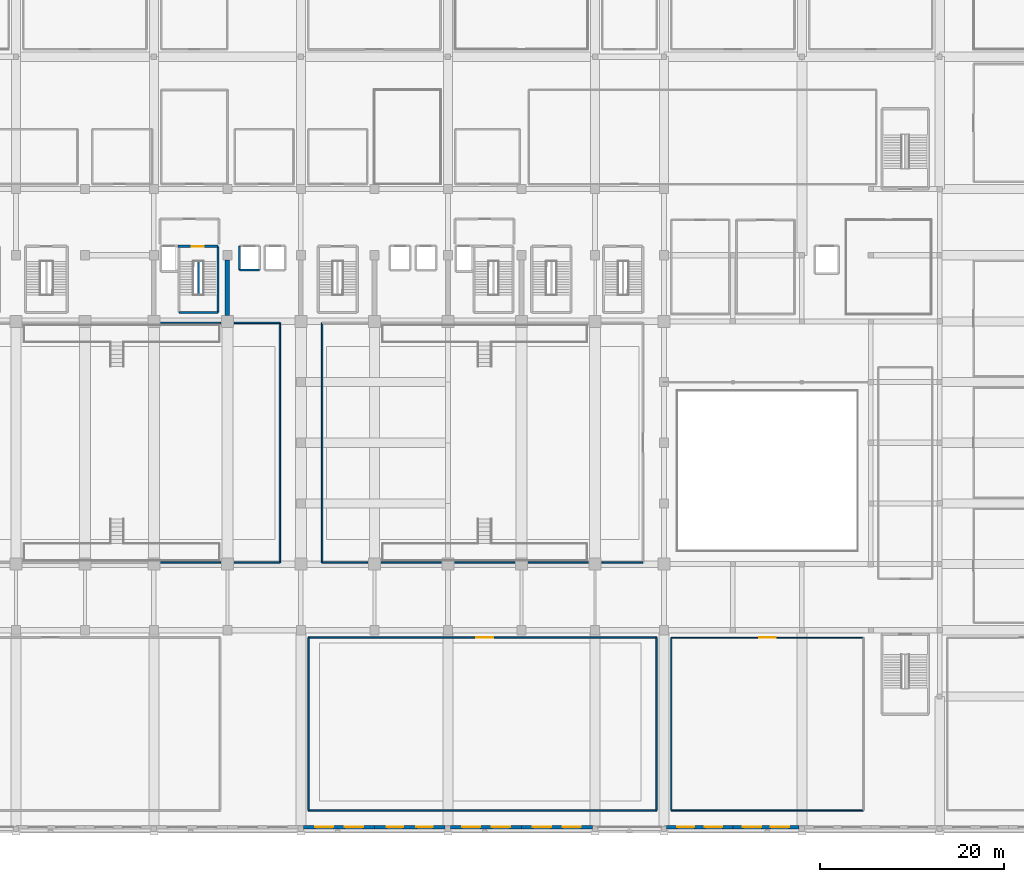
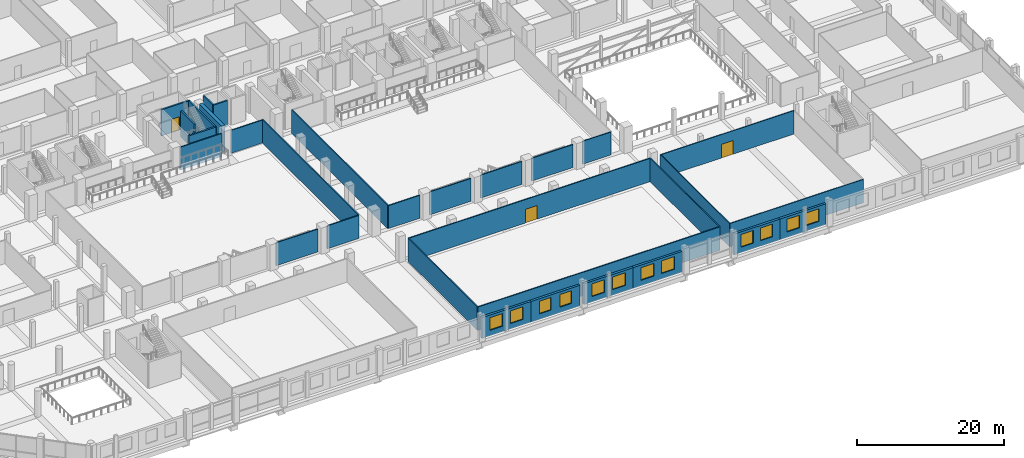
# One storey, part 44 of 68: 31 walls, 12 windows, 3 doors, 15 openings.
"""IFC4 building model written with IfcOpenShell, lengths in metres."""

from ifc_helpers import new_model, si_unit, direction, frame, frame_2d, origin, place, context, subcontext, project, spatial, rectangle, extrude, material, layer, layer_set, type_object, element, fill, save


model = new_model("IFC4")

# Units and contexts
model_context = context("Model", 3, precision=1e-05, world=origin(), true_north=direction((0.0, 1.0)))
body_context = subcontext(model_context, "Body", "Model", "MODEL_VIEW")
ifc_project = project(units=[si_unit("LENGTHUNIT", "METRE"), si_unit("AREAUNIT", "SQUARE_METRE"), si_unit("VOLUMEUNIT", "CUBIC_METRE"), si_unit("PLANEANGLEUNIT", "RADIAN"), si_unit("MASSUNIT", "GRAM", prefix="KILO")], contexts=[model_context])

# Site, building, storey
site_placement = place(None, origin())
site = spatial("IfcSite", under=ifc_project, at=site_placement, CompositionType="ELEMENT")
building_placement = place(site_placement, origin())
building = spatial("IfcBuilding", under=site, at=building_placement, Name="Akrevak Sports Hall", CompositionType="ELEMENT")
storey_placement = place(building_placement, frame((0.0, 0.0, 9.39990234375)))
storey = spatial("IfcBuildingStorey", under=building, at=storey_placement, Name="L02", CompositionType="ELEMENT", Elevation=9.39990234375)

# Wall, openings, windows
ifc_material_1 = material(Name="Limestone Ashlar", Category="stone")
ifc_layer_1 = layer(ifc_material_1, 0.080078125, Name="Limestone Ashlar")
ifc_material_2 = material(Name="Mineral Wool Thermal Insulation", Category="insulation")
ifc_layer_2 = layer(ifc_material_2, 0.10009765625, Name="Mineral Wool Thermal Insulation")
ifc_material_3 = material(Name="Concrete C40/50", Category="concrete")
ifc_layer_3 = layer(ifc_material_3, 0.179931640625, Name="Concrete C40/50")
ifc_layer_set_1 = layer_set([ifc_layer_1, ifc_layer_2, ifc_layer_3], Name="Limestone Ashlar / Mineral Wool Thermal Insulation / Concrete C40/50")
wall_type_1 = type_object("IfcWallType", Name="ARC-WL-EXT-360", PredefinedType="SOLIDWALL", material=ifc_layer_set_1)
wall_1_placement = place(storey_placement, frame((76.300048828125, 0.179931640625, 0.0), z_axis=(0.0, 0.0, 1.0), x_axis=(1.0, 0.0, 0.0)))
wall_1 = element("IfcWall", 1, at=wall_1_placement, inside=storey, type_object=wall_type_1, Name="Exterior Limestone Wall L02-S09", PredefinedType="SOLIDWALL", context=body_context, shape_type="SweptSolid", body=[
    extrude(rectangle(XDim=7.699951171875, YDim=0.360107421875, at=frame_2d((3.85009765625, 0.0))), origin(), (0.0, 0.0, 1.0), 3.4501953125),
])
opening_1_placement = place(wall_1_placement, frame((1.23291015625, 0.0, 0.919921875)))
opening_1 = element("IfcOpeningElement", 2, at=opening_1_placement, cuts=wall_1, Name="Opening WN-36", PredefinedType="OPENING", context=body_context, shape_type="SweptSolid", body=[
    extrude(rectangle(XDim=2.0, YDim=2.10009765625, at=frame_2d((1.0, 1.050048828125))), frame((0.0, 0.19189453125, 0.0), z_axis=(0.0, -1.0, 0.0), x_axis=(1.0, 0.0, 0.0)), (0.0, 0.0, 1.0), 0.384033203125),
])
opening_2_placement = place(wall_1_placement, frame((4.467041015625, 0.0, 0.919921875)))
opening_2 = element("IfcOpeningElement", 3, at=opening_2_placement, cuts=wall_1, Name="Opening WN-36", PredefinedType="OPENING", context=body_context, shape_type="SweptSolid", body=[
    extrude(rectangle(XDim=2.0, YDim=2.10009765625, at=frame_2d((1.0, 1.050048828125))), frame((0.0, 0.19189453125, 0.0), z_axis=(0.0, -1.0, 0.0), x_axis=(1.0, 0.0, 0.0)), (0.0, 0.0, 1.0), 0.384033203125),
])
ifc_material_4 = material(Name="Thermally Broken Bronze Frame & Double Low-E Glass", Category="glass")
window_type_1 = type_object("IfcWindowType", Name="ARC-WIN-SZ-2000x2100", PartitioningType="SINGLE_PANEL", PredefinedType="WINDOW", material=ifc_material_4)
window_1_placement = place(opening_1_placement, origin())
window_1 = element("IfcWindow", 4, at=window_1_placement, inside=storey, type_object=window_type_1, Name="Beaux-Arts Facade Window WIN-L02-S09-1", OverallHeight=2.10009765625, OverallWidth=2.0, PartitioningType="SINGLE_PANEL", PredefinedType="WINDOW", context=body_context, shape_type="SweptSolid", body=[
    extrude(rectangle(XDim=2.0, YDim=2.10009765625, at=frame_2d((1.0, 1.050048828125))), frame((0.0, 0.030029296875, 0.0), z_axis=(0.0, -1.0, 0.0), x_axis=(1.0, 0.0, 0.0)), (0.0, 0.0, 1.0), 0.06005859375),
])
fill(opening_1, window_1)
window_2_placement = place(opening_2_placement, origin())
window_2 = element("IfcWindow", 5, at=window_2_placement, inside=storey, type_object=window_type_1, Name="Beaux-Arts Facade Window WIN-L02-S09-2", OverallHeight=2.10009765625, OverallWidth=2.0, PartitioningType="SINGLE_PANEL", PredefinedType="WINDOW", context=body_context, shape_type="SweptSolid", body=[
    extrude(rectangle(XDim=2.0, YDim=2.10009765625, at=frame_2d((1.0, 1.050048828125))), frame((0.0, 0.030029296875, 0.0), z_axis=(0.0, -1.0, 0.0), x_axis=(1.0, 0.0, 0.0)), (0.0, 0.0, 1.0), 0.06005859375),
])
fill(opening_2, window_2)

wall_2_placement = place(storey_placement, frame((84.0, 0.179931640625, 0.0), z_axis=(0.0, 0.0, 1.0), x_axis=(1.0, 0.0, 0.0)))
wall_2 = element("IfcWall", 6, at=wall_2_placement, inside=storey, type_object=wall_type_1, Name="Exterior Limestone Wall L02-S10", PredefinedType="SOLIDWALL", context=body_context, shape_type="SweptSolid", body=[
    extrude(rectangle(XDim=7.699951171875, YDim=0.360107421875, at=frame_2d((3.85009765625, 0.0))), origin(), (0.0, 0.0, 1.0), 3.4501953125),
])
opening_3_placement = place(wall_2_placement, frame((1.3330078125, 0.0, 0.919921875)))
opening_3 = element("IfcOpeningElement", 7, at=opening_3_placement, cuts=wall_2, Name="Opening WN-37", PredefinedType="OPENING", context=body_context, shape_type="SweptSolid", body=[
    extrude(rectangle(XDim=1.800048828125, YDim=2.10009765625, at=frame_2d((0.89990234375, 1.050048828125))), frame((0.0, 0.19189453125, 0.0), z_axis=(0.0, -1.0, 0.0), x_axis=(1.0, 0.0, 0.0)), (0.0, 0.0, 1.0), 0.384033203125),
])
opening_4_placement = place(wall_2_placement, frame((4.56689453125, 0.0, 0.919921875)))
opening_4 = element("IfcOpeningElement", 8, at=opening_4_placement, cuts=wall_2, Name="Opening WN-37", PredefinedType="OPENING", context=body_context, shape_type="SweptSolid", body=[
    extrude(rectangle(XDim=1.800048828125, YDim=2.10009765625, at=frame_2d((0.89990234375, 1.050048828125))), frame((0.0, 0.19189453125, 0.0), z_axis=(0.0, -1.0, 0.0), x_axis=(1.0, 0.0, 0.0)), (0.0, 0.0, 1.0), 0.384033203125),
])
window_type_2 = type_object("IfcWindowType", Name="ARC-WIN-SZ-1800x2100", PartitioningType="SINGLE_PANEL", PredefinedType="WINDOW", material=ifc_material_4)
window_3_placement = place(opening_3_placement, origin())
window_3 = element("IfcWindow", 9, at=window_3_placement, inside=storey, type_object=window_type_2, Name="Beaux-Arts Facade Window WIN-L02-S10-1", OverallHeight=2.10009765625, OverallWidth=1.800048828125, PartitioningType="SINGLE_PANEL", PredefinedType="WINDOW", context=body_context, shape_type="SweptSolid", body=[
    extrude(rectangle(XDim=1.800048828125, YDim=2.10009765625, at=frame_2d((0.89990234375, 1.050048828125))), frame((0.0, 0.030029296875, 0.0), z_axis=(0.0, -1.0, 0.0), x_axis=(1.0, 0.0, 0.0)), (0.0, 0.0, 1.0), 0.06005859375),
])
fill(opening_3, window_3)
window_4_placement = place(opening_4_placement, origin())
window_4 = element("IfcWindow", 10, at=window_4_placement, inside=storey, type_object=window_type_2, Name="Beaux-Arts Facade Window WIN-L02-S10-2", OverallHeight=2.10009765625, OverallWidth=1.800048828125, PartitioningType="SINGLE_PANEL", PredefinedType="WINDOW", context=body_context, shape_type="SweptSolid", body=[
    extrude(rectangle(XDim=1.800048828125, YDim=2.10009765625, at=frame_2d((0.89990234375, 1.050048828125))), frame((0.0, 0.030029296875, 0.0), z_axis=(0.0, -1.0, 0.0), x_axis=(1.0, 0.0, 0.0)), (0.0, 0.0, 1.0), 0.06005859375),
])
fill(opening_4, window_4)

wall_3_placement = place(storey_placement, frame((92.300048828125, 0.179931640625, 0.0), z_axis=(0.0, 0.0, 1.0), x_axis=(1.0, 0.0, 0.0)))
wall_3 = element("IfcWall", 11, at=wall_3_placement, inside=storey, type_object=wall_type_1, Name="Exterior Limestone Wall L02-S11", PredefinedType="SOLIDWALL", context=body_context, shape_type="SweptSolid", body=[
    extrude(rectangle(XDim=7.699951171875, YDim=0.360107421875, at=frame_2d((3.85009765625, 0.0))), origin(), (0.0, 0.0, 1.0), 3.4501953125),
])
opening_5_placement = place(wall_3_placement, frame((1.23291015625, 0.0, 0.919921875)))
opening_5 = element("IfcOpeningElement", 12, at=opening_5_placement, cuts=wall_3, Name="Opening WN-36", PredefinedType="OPENING", context=body_context, shape_type="SweptSolid", body=[
    extrude(rectangle(XDim=2.0, YDim=2.10009765625, at=frame_2d((1.0, 1.050048828125))), frame((0.0, 0.19189453125, 0.0), z_axis=(0.0, -1.0, 0.0), x_axis=(1.0, 0.0, 0.0)), (0.0, 0.0, 1.0), 0.384033203125),
])
opening_6_placement = place(wall_3_placement, frame((4.467041015625, 0.0, 0.919921875)))
opening_6 = element("IfcOpeningElement", 13, at=opening_6_placement, cuts=wall_3, Name="Opening WN-36", PredefinedType="OPENING", context=body_context, shape_type="SweptSolid", body=[
    extrude(rectangle(XDim=2.0, YDim=2.10009765625, at=frame_2d((1.0, 1.050048828125))), frame((0.0, 0.19189453125, 0.0), z_axis=(0.0, -1.0, 0.0), x_axis=(1.0, 0.0, 0.0)), (0.0, 0.0, 1.0), 0.384033203125),
])
window_5_placement = place(opening_5_placement, origin())
window_5 = element("IfcWindow", 14, at=window_5_placement, inside=storey, type_object=window_type_1, Name="Beaux-Arts Facade Window WIN-L02-S11-1", OverallHeight=2.10009765625, OverallWidth=2.0, PartitioningType="SINGLE_PANEL", PredefinedType="WINDOW", context=body_context, shape_type="SweptSolid", body=[
    extrude(rectangle(XDim=2.0, YDim=2.10009765625, at=frame_2d((1.0, 1.050048828125))), frame((0.0, 0.030029296875, 0.0), z_axis=(0.0, -1.0, 0.0), x_axis=(1.0, 0.0, 0.0)), (0.0, 0.0, 1.0), 0.06005859375),
])
fill(opening_5, window_5)
window_6_placement = place(opening_6_placement, origin())
window_6 = element("IfcWindow", 15, at=window_6_placement, inside=storey, type_object=window_type_1, Name="Beaux-Arts Facade Window WIN-L02-S11-2", OverallHeight=2.10009765625, OverallWidth=2.0, PartitioningType="SINGLE_PANEL", PredefinedType="WINDOW", context=body_context, shape_type="SweptSolid", body=[
    extrude(rectangle(XDim=2.0, YDim=2.10009765625, at=frame_2d((1.0, 1.050048828125))), frame((0.0, 0.030029296875, 0.0), z_axis=(0.0, -1.0, 0.0), x_axis=(1.0, 0.0, 0.0)), (0.0, 0.0, 1.0), 0.06005859375),
])
fill(opening_6, window_6)

wall_4_placement = place(storey_placement, frame((100.0, 0.179931640625, 0.0), z_axis=(0.0, 0.0, 1.0), x_axis=(1.0, 0.0, 0.0)))
wall_4 = element("IfcWall", 16, at=wall_4_placement, inside=storey, type_object=wall_type_1, Name="Exterior Limestone Wall L02-S12", PredefinedType="SOLIDWALL", context=body_context, shape_type="SweptSolid", body=[
    extrude(rectangle(XDim=7.699951171875, YDim=0.360107421875, at=frame_2d((3.85009765625, 0.0))), origin(), (0.0, 0.0, 1.0), 3.4501953125),
])
opening_7_placement = place(wall_4_placement, frame((1.23291015625, 0.0, 0.919921875)))
opening_7 = element("IfcOpeningElement", 17, at=opening_7_placement, cuts=wall_4, Name="Opening WN-36", PredefinedType="OPENING", context=body_context, shape_type="SweptSolid", body=[
    extrude(rectangle(XDim=2.0, YDim=2.10009765625, at=frame_2d((1.0, 1.050048828125))), frame((0.0, 0.19189453125, 0.0), z_axis=(0.0, -1.0, 0.0), x_axis=(1.0, 0.0, 0.0)), (0.0, 0.0, 1.0), 0.384033203125),
])
opening_8_placement = place(wall_4_placement, frame((4.467041015625, 0.0, 0.919921875)))
opening_8 = element("IfcOpeningElement", 18, at=opening_8_placement, cuts=wall_4, Name="Opening WN-36", PredefinedType="OPENING", context=body_context, shape_type="SweptSolid", body=[
    extrude(rectangle(XDim=2.0, YDim=2.10009765625, at=frame_2d((1.0, 1.050048828125))), frame((0.0, 0.19189453125, 0.0), z_axis=(0.0, -1.0, 0.0), x_axis=(1.0, 0.0, 0.0)), (0.0, 0.0, 1.0), 0.384033203125),
])
window_7_placement = place(opening_7_placement, origin())
window_7 = element("IfcWindow", 19, at=window_7_placement, inside=storey, type_object=window_type_1, Name="Beaux-Arts Facade Window WIN-L02-S12-1", OverallHeight=2.10009765625, OverallWidth=2.0, PartitioningType="SINGLE_PANEL", PredefinedType="WINDOW", context=body_context, shape_type="SweptSolid", body=[
    extrude(rectangle(XDim=2.0, YDim=2.10009765625, at=frame_2d((1.0, 1.050048828125))), frame((0.0, 0.030029296875, 0.0), z_axis=(0.0, -1.0, 0.0), x_axis=(1.0, 0.0, 0.0)), (0.0, 0.0, 1.0), 0.06005859375),
])
fill(opening_7, window_7)
window_8_placement = place(opening_8_placement, origin())
window_8 = element("IfcWindow", 20, at=window_8_placement, inside=storey, type_object=window_type_1, Name="Beaux-Arts Facade Window WIN-L02-S12-2", OverallHeight=2.10009765625, OverallWidth=2.0, PartitioningType="SINGLE_PANEL", PredefinedType="WINDOW", context=body_context, shape_type="SweptSolid", body=[
    extrude(rectangle(XDim=2.0, YDim=2.10009765625, at=frame_2d((1.0, 1.050048828125))), frame((0.0, 0.030029296875, 0.0), z_axis=(0.0, -1.0, 0.0), x_axis=(1.0, 0.0, 0.0)), (0.0, 0.0, 1.0), 0.06005859375),
])
fill(opening_8, window_8)

wall_5_placement = place(storey_placement, frame((115.77490234375, 0.179931640625, 0.0), z_axis=(0.0, 0.0, 1.0), x_axis=(1.0, 0.0, 0.0)))
wall_5 = element("IfcWall", 21, at=wall_5_placement, inside=storey, type_object=wall_type_1, Name="Exterior Limestone Wall L02-S14", PredefinedType="SOLIDWALL", context=body_context, shape_type="SweptSolid", body=[
    extrude(rectangle(XDim=7.22509765625, YDim=0.360107421875, at=frame_2d((3.612548828125, 0.0))), origin(), (0.0, 0.0, 1.0), 3.4501953125),
])
opening_9_placement = place(wall_5_placement, frame((1.145263671875, 0.0, 0.919921875)))
opening_9 = element("IfcOpeningElement", 22, at=opening_9_placement, cuts=wall_5, Name="Opening WN-38", PredefinedType="OPENING", context=body_context, shape_type="SweptSolid", body=[
    extrude(rectangle(XDim=1.89990234375, YDim=2.10009765625, at=frame_2d((0.949951171875, 1.050048828125))), frame((0.0, 0.19189453125, 0.0), z_axis=(0.0, -1.0, 0.0), x_axis=(1.0, 0.0, 0.0)), (0.0, 0.0, 1.0), 0.384033203125),
])
opening_10_placement = place(wall_5_placement, frame((4.1796875, 0.0, 0.919921875)))
opening_10 = element("IfcOpeningElement", 23, at=opening_10_placement, cuts=wall_5, Name="Opening WN-38", PredefinedType="OPENING", context=body_context, shape_type="SweptSolid", body=[
    extrude(rectangle(XDim=1.89990234375, YDim=2.10009765625, at=frame_2d((0.949951171875, 1.050048828125))), frame((0.0, 0.19189453125, 0.0), z_axis=(0.0, -1.0, 0.0), x_axis=(1.0, 0.0, 0.0)), (0.0, 0.0, 1.0), 0.384033203125),
])
window_type_3 = type_object("IfcWindowType", Name="ARC-WIN-SZ-1900x2100", PartitioningType="SINGLE_PANEL", PredefinedType="WINDOW", material=ifc_material_4)
window_9_placement = place(opening_9_placement, origin())
window_9 = element("IfcWindow", 24, at=window_9_placement, inside=storey, type_object=window_type_3, Name="Beaux-Arts Facade Window WIN-L02-S14-1", OverallHeight=2.10009765625, OverallWidth=1.89990234375, PartitioningType="SINGLE_PANEL", PredefinedType="WINDOW", context=body_context, shape_type="SweptSolid", body=[
    extrude(rectangle(XDim=1.89990234375, YDim=2.10009765625, at=frame_2d((0.949951171875, 1.050048828125))), frame((0.0, 0.030029296875, 0.0), z_axis=(0.0, -1.0, 0.0), x_axis=(1.0, 0.0, 0.0)), (0.0, 0.0, 1.0), 0.06005859375),
])
fill(opening_9, window_9)
window_10_placement = place(opening_10_placement, origin())
window_10 = element("IfcWindow", 25, at=window_10_placement, inside=storey, type_object=window_type_3, Name="Beaux-Arts Facade Window WIN-L02-S14-2", OverallHeight=2.10009765625, OverallWidth=1.89990234375, PartitioningType="SINGLE_PANEL", PredefinedType="WINDOW", context=body_context, shape_type="SweptSolid", body=[
    extrude(rectangle(XDim=1.89990234375, YDim=2.10009765625, at=frame_2d((0.949951171875, 1.050048828125))), frame((0.0, 0.030029296875, 0.0), z_axis=(0.0, -1.0, 0.0), x_axis=(1.0, 0.0, 0.0)), (0.0, 0.0, 1.0), 0.06005859375),
])
fill(opening_10, window_10)

wall_6_placement = place(storey_placement, frame((123.0, 0.179931640625, 0.0), z_axis=(0.0, 0.0, 1.0), x_axis=(1.0, 0.0, 0.0)))
wall_6 = element("IfcWall", 26, at=wall_6_placement, inside=storey, type_object=wall_type_1, Name="Exterior Limestone Wall L02-S15", PredefinedType="SOLIDWALL", context=body_context, shape_type="SweptSolid", body=[
    extrude(rectangle(XDim=7.199951171875, YDim=0.360107421875, at=frame_2d((3.60009765625, 0.0))), origin(), (0.0, 0.0, 1.0), 3.4501953125),
])
opening_11_placement = place(wall_6_placement, frame((1.087890625, 0.0, 0.919921875)))
opening_11 = element("IfcOpeningElement", 27, at=opening_11_placement, cuts=wall_6, Name="Opening WN-36", PredefinedType="OPENING", context=body_context, shape_type="SweptSolid", body=[
    extrude(rectangle(XDim=2.0, YDim=2.10009765625, at=frame_2d((1.0, 1.050048828125))), frame((0.0, 0.19189453125, 0.0), z_axis=(0.0, -1.0, 0.0), x_axis=(1.0, 0.0, 0.0)), (0.0, 0.0, 1.0), 0.384033203125),
])
opening_12_placement = place(wall_6_placement, frame((4.112060546875, 0.0, 0.919921875)))
opening_12 = element("IfcOpeningElement", 28, at=opening_12_placement, cuts=wall_6, Name="Opening WN-36", PredefinedType="OPENING", context=body_context, shape_type="SweptSolid", body=[
    extrude(rectangle(XDim=2.0, YDim=2.10009765625, at=frame_2d((1.0, 1.050048828125))), frame((0.0, 0.19189453125, 0.0), z_axis=(0.0, -1.0, 0.0), x_axis=(1.0, 0.0, 0.0)), (0.0, 0.0, 1.0), 0.384033203125),
])
window_11_placement = place(opening_11_placement, origin())
window_11 = element("IfcWindow", 29, at=window_11_placement, inside=storey, type_object=window_type_1, Name="Beaux-Arts Facade Window WIN-L02-S15-1", OverallHeight=2.10009765625, OverallWidth=2.0, PartitioningType="SINGLE_PANEL", PredefinedType="WINDOW", context=body_context, shape_type="SweptSolid", body=[
    extrude(rectangle(XDim=2.0, YDim=2.10009765625, at=frame_2d((1.0, 1.050048828125))), frame((0.0, 0.030029296875, 0.0), z_axis=(0.0, -1.0, 0.0), x_axis=(1.0, 0.0, 0.0)), (0.0, 0.0, 1.0), 0.06005859375),
])
fill(opening_11, window_11)
window_12_placement = place(opening_12_placement, origin())
window_12 = element("IfcWindow", 30, at=window_12_placement, inside=storey, type_object=window_type_1, Name="Beaux-Arts Facade Window WIN-L02-S15-2", OverallHeight=2.10009765625, OverallWidth=2.0, PartitioningType="SINGLE_PANEL", PredefinedType="WINDOW", context=body_context, shape_type="SweptSolid", body=[
    extrude(rectangle(XDim=2.0, YDim=2.10009765625, at=frame_2d((1.0, 1.050048828125))), frame((0.0, 0.030029296875, 0.0), z_axis=(0.0, -1.0, 0.0), x_axis=(1.0, 0.0, 0.0)), (0.0, 0.0, 1.0), 0.06005859375),
])
fill(opening_12, window_12)

# Wall
ifc_material_5 = material(Name="Acoustic Metal Stud Partition", Category="gypsum")
ifc_layer_4 = layer(ifc_material_5, 0.1298828125, Name="Acoustic Metal Stud Partition")
ifc_layer_set_2 = layer_set([ifc_layer_4], Name="Acoustic Metal Stud Partition")
wall_type_2 = type_object("IfcWallType", Name="ARC-WL-PRT-130", PredefinedType="PARTITIONING", material=ifc_layer_set_2)
wall_7_placement = place(storey_placement, frame((116.300048828125, 2.0, 0.0), z_axis=(0.0, 0.0, 1.0), x_axis=(1.0, 0.0, 0.0)))
element("IfcWall", 31, at=wall_7_placement, inside=storey, type_object=wall_type_2, Name="Interior Partition South-East Rhythmic Apparatus Storage L02 (S)", PredefinedType="PARTITIONING", context=body_context, shape_type="SweptSolid", body=[
    extrude(rectangle(XDim=20.89990234375, YDim=0.1298828125, at=frame_2d((10.449951171875, 0.0))), origin(), (0.0, 0.0, 1.0), 3.880126953125),
])

# Wall, opening, door
wall_8_placement = place(storey_placement, frame((116.300048828125, 20.800048828125, 0.0), z_axis=(0.0, 0.0, 1.0), x_axis=(1.0, 0.0, 0.0)))
wall_8 = element("IfcWall", 32, at=wall_8_placement, inside=storey, type_object=wall_type_2, Name="Interior Partition South-East Rhythmic Apparatus Storage L02 (N)", PredefinedType="PARTITIONING", context=body_context, shape_type="SweptSolid", body=[
    extrude(rectangle(XDim=20.89990234375, YDim=0.1298828125, at=frame_2d((10.449951171875, 0.0))), origin(), (0.0, 0.0, 1.0), 3.880126953125),
])
opening_13_placement = place(wall_8_placement, frame((9.550048828125, 0.0, 0.0)))
opening_13 = element("IfcOpeningElement", 33, at=opening_13_placement, cuts=wall_8, Name="Opening ID-02", PredefinedType="OPENING", context=body_context, shape_type="SweptSolid", body=[
    extrude(rectangle(XDim=1.800048828125, YDim=2.25, at=frame_2d((0.89990234375, 1.125))), frame((0.0, 0.076904296875, 0.0), z_axis=(0.0, -1.0, 0.0), x_axis=(1.0, 0.0, 0.0)), (0.0, 0.0, 1.0), 0.15380859375),
])
ifc_material_6 = material(Name="Hardwood Oak & Safety Glass", Category="wood")
door_type_1 = type_object("IfcDoorType", Name="ARC-DR-HALL-180x225", OperationType="DOUBLE_DOOR_SINGLE_SWING", PredefinedType="DOOR", material=ifc_material_6)
door_1_placement = place(opening_13_placement, origin())
door_1 = element("IfcDoor", 34, at=door_1_placement, inside=storey, type_object=door_type_1, Name="Door to South-East Rhythmic Apparatus Storage L02", OperationType="DOUBLE_DOOR_SINGLE_SWING", OverallHeight=2.25, OverallWidth=1.800048828125, PredefinedType="DOOR", context=body_context, shape_type="SweptSolid", body=[
    extrude(rectangle(XDim=1.800048828125, YDim=2.25, at=frame_2d((0.89990234375, 1.125))), frame((0.0, 0.02490234375, 0.0), z_axis=(0.0, -1.0, 0.0), x_axis=(1.0, 0.0, 0.0)), (0.0, 0.0, 1.0), 0.050048828125),
])
fill(opening_13, door_1)

# Walls
wall_9_placement = place(storey_placement, frame((116.300048828125, 2.0, 0.0), z_axis=(0.0, 0.0, 1.0), x_axis=(0.0, 1.0, 0.0)))
element("IfcWall", 35, at=wall_9_placement, inside=storey, type_object=wall_type_2, Name="Interior Partition South-East Rhythmic Apparatus Storage L02 (W)", PredefinedType="PARTITIONING", context=body_context, shape_type="SweptSolid", body=[
    extrude(rectangle(XDim=18.800048828125, YDim=0.1298828125, at=frame_2d((9.39990234375, 0.0))), origin(), (0.0, 0.0, 1.0), 3.880126953125),
])
ifc_material_7 = material(Name="Double Stud Fireboard Partition", Category="gypsum")
ifc_layer_5 = layer(ifc_material_7, 0.1650390625, Name="Double Stud Fireboard Partition")
ifc_layer_set_3 = layer_set([ifc_layer_5], Name="Double Stud Fireboard Partition")
wall_type_3 = type_object("IfcWallType", Name="ARC-WL-PRT-165", PredefinedType="PARTITIONING", material=ifc_layer_set_3)
wall_10_placement = place(storey_placement, frame((60.72998046875, 28.949951171875, 0.0), z_axis=(0.0, 0.0, 1.0), x_axis=(1.0, 0.0, 0.0)))
element("IfcWall", 36, at=wall_10_placement, inside=storey, type_object=wall_type_3, Name="Interior Partition Sports Hall 2 - Basketball Court (S) Segment 4", PredefinedType="PARTITIONING", context=body_context, shape_type="SweptSolid", body=[
    extrude(rectangle(XDim=6.5400390625, YDim=0.1650390625, at=frame_2d((3.27001953125, 0.0))), origin(), (0.0, 0.0, 1.0), 3.800048828125),
])
wall_11_placement = place(storey_placement, frame((68.72998046875, 28.949951171875, 0.0), z_axis=(0.0, 0.0, 1.0), x_axis=(1.0, 0.0, 0.0)))
element("IfcWall", 37, at=wall_11_placement, inside=storey, type_object=wall_type_3, Name="Interior Partition Sports Hall 2 - Basketball Court (S) Segment 5", PredefinedType="PARTITIONING", context=body_context, shape_type="SweptSolid", body=[
    extrude(rectangle(XDim=4.969970703125, YDim=0.1650390625, at=frame_2d((2.48486328125, 0.0))), origin(), (0.0, 0.0, 1.0), 3.800048828125),
])
wall_12_placement = place(storey_placement, frame((60.72998046875, 55.050048828125, 0.0), z_axis=(0.0, 0.0, 1.0), x_axis=(1.0, 0.0, 0.0)))
element("IfcWall", 38, at=wall_12_placement, inside=storey, type_object=wall_type_3, Name="Interior Partition Sports Hall 2 - Basketball Court (N) Segment 4", PredefinedType="PARTITIONING", context=body_context, shape_type="SweptSolid", body=[
    extrude(rectangle(XDim=6.5400390625, YDim=0.1650390625, at=frame_2d((3.27001953125, 0.0))), origin(), (0.0, 0.0, 1.0), 3.800048828125),
])
wall_13_placement = place(storey_placement, frame((68.72998046875, 55.050048828125, 0.0), z_axis=(0.0, 0.0, 1.0), x_axis=(1.0, 0.0, 0.0)))
element("IfcWall", 39, at=wall_13_placement, inside=storey, type_object=wall_type_3, Name="Interior Partition Sports Hall 2 - Basketball Court (N) Segment 5", PredefinedType="PARTITIONING", context=body_context, shape_type="SweptSolid", body=[
    extrude(rectangle(XDim=4.969970703125, YDim=0.1650390625, at=frame_2d((2.48486328125, 0.0))), origin(), (0.0, 0.0, 1.0), 3.800048828125),
])
wall_14_placement = place(storey_placement, frame((73.699951171875, 28.949951171875, 0.0), z_axis=(0.0, 0.0, 1.0), x_axis=(0.0, 1.0, 0.0)))
element("IfcWall", 40, at=wall_14_placement, inside=storey, type_object=wall_type_3, Name="Interior Partition Sports Hall 2 - Basketball Court (E)", PredefinedType="PARTITIONING", context=body_context, shape_type="SweptSolid", body=[
    extrude(rectangle(XDim=26.10009765625, YDim=0.1650390625, at=frame_2d((13.050048828125, 0.0))), origin(), (0.0, 0.0, 1.0), 3.880126953125),
])
wall_15_placement = place(storey_placement, frame((78.300048828125, 28.949951171875, 0.0), z_axis=(0.0, 0.0, 1.0), x_axis=(1.0, 0.0, 0.0)))
element("IfcWall", 41, at=wall_15_placement, inside=storey, type_object=wall_type_3, Name="Interior Partition Sports Hall 3 - Volleyball Court (S) Segment 1", PredefinedType="PARTITIONING", context=body_context, shape_type="SweptSolid", body=[
    extrude(rectangle(XDim=4.969970703125, YDim=0.1650390625, at=frame_2d((2.48486328125, 0.0))), origin(), (0.0, 0.0, 1.0), 3.800048828125),
])
for number, where, z_axis, x_axis, name in (
    (42, (84.72998046875, 28.949951171875, 0.0), (0.0, 0.0, 1.0), (1.0, 0.0, 0.0), "Interior Partition Sports Hall 3 - Volleyball Court (S) Segment 2"),
    (43, (92.72998046875, 28.949951171875, 0.0), (0.0, 0.0, 1.0), (1.0, 0.0, 0.0), "Interior Partition Sports Hall 3 - Volleyball Court (S) Segment 3"),
    (44, (100.72998046875, 28.949951171875, 0.0), (0.0, 0.0, 1.0), (1.0, 0.0, 0.0), "Interior Partition Sports Hall 3 - Volleyball Court (S) Segment 4"),
):
    element("IfcWall", number, at=place(storey_placement, frame(where, z_axis=z_axis, x_axis=x_axis)), inside=storey, type_object=wall_type_3, Name=name, PredefinedType="PARTITIONING", context=body_context, shape_type="SweptSolid", body=[
        extrude(rectangle(XDim=6.5400390625, YDim=0.1650390625, at=frame_2d((3.27001953125, 0.0))), origin(), (0.0, 0.0, 1.0), 3.800048828125),
    ])
wall_16_placement = place(storey_placement, frame((108.72998046875, 28.949951171875, 0.0), z_axis=(0.0, 0.0, 1.0), x_axis=(1.0, 0.0, 0.0)))
element("IfcWall", 45, at=wall_16_placement, inside=storey, type_object=wall_type_3, Name="Interior Partition Sports Hall 3 - Volleyball Court (S) Segment 5", PredefinedType="PARTITIONING", context=body_context, shape_type="SweptSolid", body=[
    extrude(rectangle(XDim=4.469970703125, YDim=0.1650390625, at=frame_2d((2.23486328125, 0.0))), origin(), (0.0, 0.0, 1.0), 3.800048828125),
])
wall_17_placement = place(storey_placement, frame((78.300048828125, 28.949951171875, 0.0), z_axis=(0.0, 0.0, 1.0), x_axis=(0.0, 1.0, 0.0)))
element("IfcWall", 46, at=wall_17_placement, inside=storey, type_object=wall_type_3, Name="Interior Partition Sports Hall 3 - Volleyball Court (W)", PredefinedType="PARTITIONING", context=body_context, shape_type="SweptSolid", body=[
    extrude(rectangle(XDim=26.10009765625, YDim=0.1650390625, at=frame_2d((13.050048828125, 0.0))), origin(), (0.0, 0.0, 1.0), 3.880126953125),
])
wall_18_placement = place(storey_placement, frame((76.800048828125, 2.0, 0.0), z_axis=(0.0, 0.0, 1.0), x_axis=(1.0, 0.0, 0.0)))
element("IfcWall", 47, at=wall_18_placement, inside=storey, type_object=wall_type_3, Name="Interior Partition Dance Studio 2 - Rhythmic Gymnastics (S)", PredefinedType="PARTITIONING", context=body_context, shape_type="SweptSolid", body=[
    extrude(rectangle(XDim=37.89990234375, YDim=0.1650390625, at=frame_2d((18.949951171875, 0.0))), origin(), (0.0, 0.0, 1.0), 3.880126953125),
])

# Wall, opening, door
wall_19_placement = place(storey_placement, frame((76.800048828125, 20.800048828125, 0.0), z_axis=(0.0, 0.0, 1.0), x_axis=(1.0, 0.0, 0.0)))
wall_19 = element("IfcWall", 48, at=wall_19_placement, inside=storey, type_object=wall_type_3, Name="Interior Partition Dance Studio 2 - Rhythmic Gymnastics (N)", PredefinedType="PARTITIONING", context=body_context, shape_type="SweptSolid", body=[
    extrude(rectangle(XDim=37.89990234375, YDim=0.1650390625, at=frame_2d((18.949951171875, 0.0))), origin(), (0.0, 0.0, 1.0), 3.880126953125),
])
opening_14_placement = place(wall_19_placement, frame((18.300048828125, 0.0, 0.0)))
opening_14 = element("IfcOpeningElement", 49, at=opening_14_placement, cuts=wall_19, Name="Opening ID-02", PredefinedType="OPENING", context=body_context, shape_type="SweptSolid", body=[
    extrude(rectangle(XDim=1.800048828125, YDim=2.25, at=frame_2d((0.89990234375, 1.125))), frame((0.0, 0.094482421875, 0.0), z_axis=(0.0, -1.0, 0.0), x_axis=(1.0, 0.0, 0.0)), (0.0, 0.0, 1.0), 0.18896484375),
])
door_2_placement = place(opening_14_placement, origin())
door_2 = element("IfcDoor", 50, at=door_2_placement, inside=storey, type_object=door_type_1, Name="Door to Dance Studio 2 - Rhythmic Gymnastics", OperationType="DOUBLE_DOOR_SINGLE_SWING", OverallHeight=2.25, OverallWidth=1.800048828125, PredefinedType="DOOR", context=body_context, shape_type="SweptSolid", body=[
    extrude(rectangle(XDim=1.800048828125, YDim=2.25, at=frame_2d((0.89990234375, 1.125))), frame((0.0, 0.02490234375, 0.0), z_axis=(0.0, -1.0, 0.0), x_axis=(1.0, 0.0, 0.0)), (0.0, 0.0, 1.0), 0.050048828125),
])
fill(opening_14, door_2)

# Walls
for number, where, z_axis, x_axis, name in (
    (51, (76.800048828125, 2.0, 0.0), (0.0, 0.0, 1.0), (0.0, 1.0, 0.0), "Interior Partition Dance Studio 2 - Rhythmic Gymnastics (W)"),
    (52, (114.699951171875, 2.0, 0.0), (0.0, 0.0, 1.0), (0.0, 1.0, 0.0), "Interior Partition Dance Studio 2 - Rhythmic Gymnastics (E)"),
):
    element("IfcWall", number, at=place(storey_placement, frame(where, z_axis=z_axis, x_axis=x_axis)), inside=storey, type_object=wall_type_3, Name=name, PredefinedType="PARTITIONING", context=body_context, shape_type="SweptSolid", body=[
        extrude(rectangle(XDim=18.800048828125, YDim=0.1650390625, at=frame_2d((9.39990234375, 0.0))), origin(), (0.0, 0.0, 1.0), 3.880126953125),
    ])
ifc_layer_6 = layer(ifc_material_3, 0.219970703125, Name="Concrete C40/50")
ifc_layer_set_4 = layer_set([ifc_layer_6], Name="Concrete C40/50")
wall_type_4 = type_object("IfcWallType", Name="ARC-WL-PRT-220", PredefinedType="PARTITIONING", material=ifc_layer_set_4)
wall_20_placement = place(storey_placement, frame((64.85009765625, 58.094970703125, 0.0), z_axis=(0.0, 0.0, 1.0), x_axis=(0.0, 1.0, 0.0)))
element("IfcWall", 53, at=wall_20_placement, inside=storey, type_object=wall_type_4, Name="Stair ST1 Central Spine Wall (L02)", PredefinedType="PARTITIONING", context=body_context, shape_type="SweptSolid", body=[
    extrude(rectangle(XDim=3.64013671875, YDim=0.219970703125, at=frame_2d((1.820068359375, 0.0))), origin(), (0.0, 0.0, 1.0), 4.320068359375),
])
ifc_material_8 = material(Name="Concrete C50/60", Category="concrete")
ifc_layer_7 = layer(ifc_material_8, 0.219970703125, Name="Concrete C50/60")
ifc_layer_set_5 = layer_set([ifc_layer_7], Name="Concrete C50/60")
wall_type_5 = type_object("IfcWallType", Name="ARC-WL-SHAFT-220", PredefinedType="SHEAR", material=ifc_layer_set_5)
wall_21_placement = place(storey_placement, frame((69.31005859375, 60.81005859375, 0.0), z_axis=(0.0, 0.0, 1.0), x_axis=(1.0, 0.0, 0.0)))
element("IfcWall", 54, at=wall_21_placement, inside=storey, type_object=wall_type_5, Name="Lift Shaft LF-P1 Wall S (L02)", PredefinedType="SHEAR", context=body_context, shape_type="SweptSolid", body=[
    extrude(rectangle(XDim=2.179931640625, YDim=0.219970703125, at=frame_2d((1.08984375, 0.0))), origin(), (0.0, 0.0, 1.0), 4.320068359375),
])
wall_22_placement = place(storey_placement, frame((69.31005859375, 63.389892578125, 0.0), z_axis=(0.0, 0.0, 1.0), x_axis=(0.0, -1.0, 0.0)))
element("IfcWall", 55, at=wall_22_placement, inside=storey, type_object=wall_type_5, Name="Lift Shaft LF-P1 Wall W (L02)", PredefinedType="SHEAR", context=body_context, shape_type="SweptSolid", body=[
    extrude(rectangle(XDim=2.579833984375, YDim=0.219970703125, at=frame_2d((1.2900390625, 0.0))), origin(), (0.0, 0.0, 1.0), 4.320068359375),
])
ifc_layer_8 = layer(ifc_material_8, 0.5, Name="Concrete C50/60")
ifc_layer_set_6 = layer_set([ifc_layer_8], Name="Concrete C50/60")
wall_type_6 = type_object("IfcWallType", Name="STR-WL-CORE-500", PredefinedType="SHEAR", material=ifc_layer_set_6)
wall_23_placement = place(storey_placement, frame((68.0, 55.85009765625, 0.0), z_axis=(0.0, 0.0, 1.0), x_axis=(0.0, 1.0, 0.0)))
element("IfcWall", 56, at=wall_23_placement, inside=storey, type_object=wall_type_6, Name="Reinforced Concrete Shear Wall SW-C1 (L02)", PredefinedType="SHEAR", context=body_context, shape_type="SweptSolid", body=[
    extrude(rectangle(XDim=6.0498046875, YDim=0.5, at=frame_2d((3.02490234375, 0.0))), origin(), (0.0, 0.0, 1.0), 4.320068359375),
])
ifc_layer_9 = layer(ifc_material_8, 0.25, Name="Concrete C50/60")
ifc_layer_set_7 = layer_set([ifc_layer_9], Name="Concrete C50/60")
wall_type_7 = type_object("IfcWallType", Name="STR-WL-STAIR-250", PredefinedType="SHEAR", material=ifc_layer_set_7)
wall_24_placement = place(storey_placement, frame((62.72509765625, 56.175048828125, 0.0), z_axis=(0.0, 0.0, 1.0), x_axis=(1.0, 0.0, 0.0)))
element("IfcWall", 57, at=wall_24_placement, inside=storey, type_object=wall_type_7, Name="Stair Core ST1 Shear Wall S (L02)", PredefinedType="SHEAR", context=body_context, shape_type="SweptSolid", body=[
    extrude(rectangle(XDim=4.25, YDim=0.25, at=frame_2d((2.125, 0.0))), origin(), (0.0, 0.0, 1.0), 4.320068359375),
])

# Wall, opening, door
wall_25_placement = place(storey_placement, frame((66.97509765625, 63.375, 0.0), z_axis=(0.0, 0.0, 1.0), x_axis=(-1.0, 0.0, 0.0)))
wall_25 = element("IfcWall", 58, at=wall_25_placement, inside=storey, type_object=wall_type_7, Name="Stair Core ST1 Shear Wall N (L02)", PredefinedType="SHEAR", context=body_context, shape_type="SweptSolid", body=[
    extrude(rectangle(XDim=4.375, YDim=0.25, at=frame_2d((2.1875, 0.0))), origin(), (0.0, 0.0, 1.0), 4.320068359375),
])
opening_15_placement = place(wall_25_placement, frame((1.53759765625, 0.0, 0.0)))
opening_15 = element("IfcOpeningElement", 59, at=opening_15_placement, cuts=wall_25, Name="Opening SD-01", PredefinedType="OPENING", context=body_context, shape_type="SweptSolid", body=[
    extrude(rectangle(XDim=1.300048828125, YDim=2.199951171875, at=frame_2d((0.64990234375, 1.10009765625))), frame((0.0, 0.136962890625, 0.0), z_axis=(0.0, -1.0, 0.0), x_axis=(1.0, 0.0, 0.0)), (0.0, 0.0, 1.0), 0.27392578125),
])
ifc_material_9 = material(Name="Fire-Rated Galvanized Door Steel", Category="steel")
door_type_2 = type_object("IfcDoorType", Name="ARC-DR-STAIR-130x220", OperationType="NOTDEFINED", PredefinedType="DOOR", material=ifc_material_9)
door_3_placement = place(opening_15_placement, origin())
door_3 = element("IfcDoor", 60, at=door_3_placement, inside=storey, type_object=door_type_2, Name="Exit Stair ST1 Door (L02)", OperationType="SINGLE_SWING_RIGHT", OverallHeight=2.199951171875, OverallWidth=1.300048828125, PredefinedType="DOOR", context=body_context, shape_type="SweptSolid", body=[
    extrude(rectangle(XDim=1.300048828125, YDim=2.199951171875, at=frame_2d((0.64990234375, 1.10009765625))), frame((0.0, 0.02490234375, 0.0), z_axis=(0.0, -1.0, 0.0), x_axis=(1.0, 0.0, 0.0)), (0.0, 0.0, 1.0), 0.050048828125),
])
fill(opening_15, door_3)

# Wall
wall_26_placement = place(storey_placement, frame((66.97509765625, 56.175048828125, 0.0), z_axis=(0.0, 0.0, 1.0), x_axis=(0.0, 1.0, 0.0)))
element("IfcWall", 61, at=wall_26_placement, inside=storey, type_object=wall_type_7, Name="Stair Core ST1 Shear Wall E (L02)", PredefinedType="SHEAR", context=body_context, shape_type="SweptSolid", body=[
    extrude(rectangle(XDim=7.199951171875, YDim=0.25, at=frame_2d((3.60009765625, 0.0))), origin(), (0.0, 0.0, 1.0), 4.320068359375),
])

save(model, "model.ifc")
